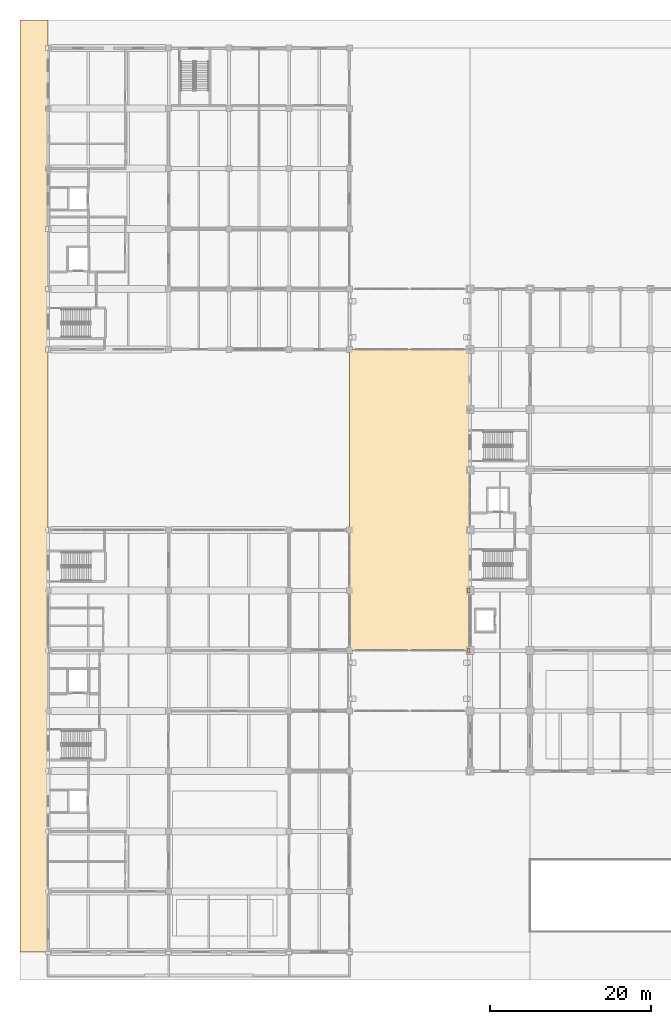
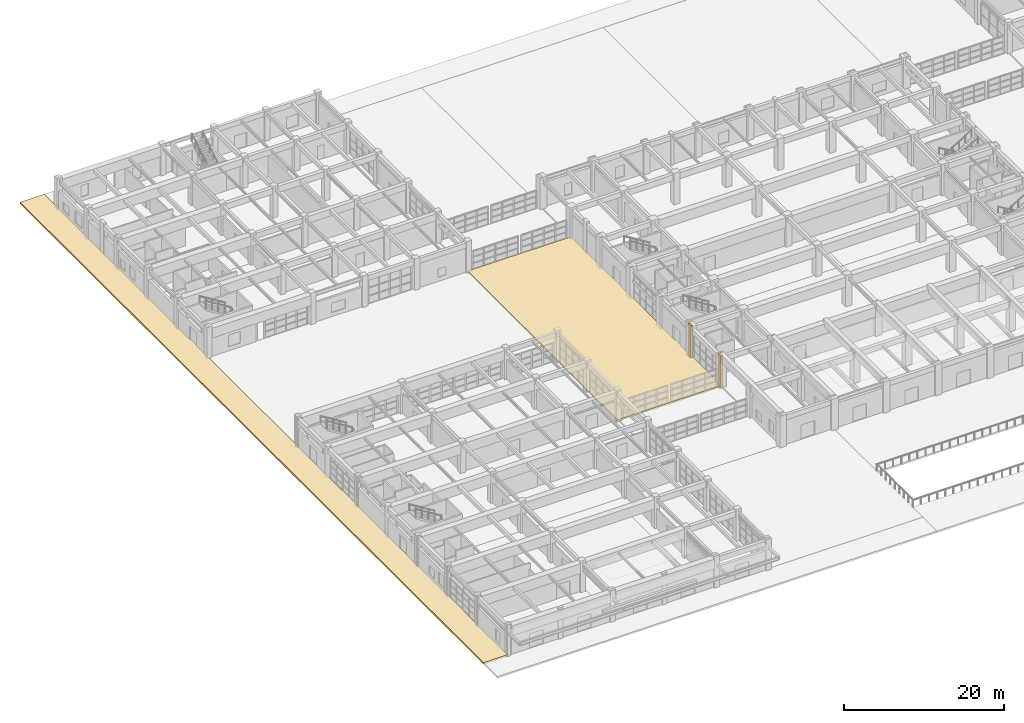
# One storey, part 108 of 122: 4 coverings.
"""IFC4 building model written with IfcOpenShell, lengths in metres."""

from ifc_helpers import new_model, si_unit, direction, frame, origin, origin_2d, place, context, subcontext, project, spatial, polyline, rectangle, outline, extrude, material, layer, layer_set, type_object, element, save


model = new_model("IFC4")

# Units and contexts
model_context = context("Model", 3, precision=1e-05, world=origin(), true_north=direction((0.0, 1.0)))
body_context = subcontext(model_context, "Body", "Model", "MODEL_VIEW")
ifc_project = project(units=[si_unit("LENGTHUNIT", "METRE"), si_unit("AREAUNIT", "SQUARE_METRE"), si_unit("VOLUMEUNIT", "CUBIC_METRE"), si_unit("PLANEANGLEUNIT", "RADIAN"), si_unit("MASSUNIT", "GRAM", prefix="KILO")], contexts=[model_context])

# Site, building, storey
site_placement = place(None, origin())
site = spatial("IfcSite", under=ifc_project, at=site_placement, CompositionType="ELEMENT")
building_placement = place(site_placement, origin())
building = spatial("IfcBuilding", under=site, at=building_placement, Name="Qasida Concert Hall", CompositionType="ELEMENT")
storey_placement = place(building_placement, origin())
storey = spatial("IfcBuildingStorey", under=building, at=storey_placement, Name="L00", CompositionType="ELEMENT", Elevation=0.0)

# Coverings
ifc_material_1 = material(Name="Bush-hammered Lebanese limestone plaza paving", Category="masonry")
ifc_layer_1 = layer(ifc_material_1, 0.25, Name="Bush-hammered Lebanese limestone plaza paving")
ifc_layer_set_1 = layer_set([ifc_layer_1], Name="Bush-hammered Lebanese limestone plaza paving")
covering_type_1 = type_object("IfcCoveringType", Name="CV-PAV-250", PredefinedType="FLOORING", material=ifc_layer_set_1)
covering_1_placement = place(storey_placement, frame((0.0, 0.0, -0.25)))
element("IfcCovering", 1, at=covering_1_placement, inside=storey, type_object=covering_type_1, Name="L00 West boulevard promenade", PredefinedType="FLOORING", context=body_context, shape_type="SweptSolid", body=[
    extrude(outline(polyline([(-3.5, 0.0), (0.0, 0.0), (0.0, 116.0), (-3.5, 116.0), (-3.5, 0.0)])), origin(), (0.0, 0.0, 1.0), 0.25),
])
covering_2_placement = place(storey_placement, frame((0.0, 0.0, -0.25)))
element("IfcCovering", 2, at=covering_2_placement, inside=storey, type_object=covering_type_1, Name="L00 West acoustic court central garden plaza", PredefinedType="FLOORING", context=body_context, shape_type="SweptSolid", body=[
    extrude(outline(polyline([(37.5, 37.5), (52.5, 37.5), (52.5, 75.0), (37.5, 75.0), (37.5, 37.5)])), origin(), (0.0, 0.0, 1.0), 0.25),
])
ifc_material_2 = material(Name="Projecting fluted Lebanese limestone Art Deco pilaster", Category="masonry")
ifc_layer_2 = layer(ifc_material_2, 0.35009765625, Name="Projecting fluted Lebanese limestone Art Deco pilaster")
ifc_layer_set_2 = layer_set([ifc_layer_2], Name="Projecting fluted Lebanese limestone Art Deco pilaster")
covering_type_2 = type_object("IfcCoveringType", Name="CV-PIL-650", PredefinedType="CLADDING", material=ifc_layer_set_2)
for number, where, z_axis, x_axis, name in (
    (3, (52.364990234375, 37.5, 0.0), (0.0, 0.0, 1.0), (1.0, 0.0, 0.0), "L00 fluted limestone pilaster 0015"),
    (4, (52.364990234375, 45.0, 0.0), (0.0, 0.0, 1.0), (1.0, 0.0, 0.0), "L00 fluted limestone pilaster 0029"),
):
    element("IfcCovering", number, at=place(storey_placement, frame(where, z_axis=z_axis, x_axis=x_axis)), inside=storey, type_object=covering_type_2, Name=name, PredefinedType="CLADDING", context=body_context, shape_type="SweptSolid", body=[
        extrude(rectangle(XDim=0.35009765625, YDim=0.64990234375, at=origin_2d()), origin(), (0.0, 0.0, 1.0), 4.800048828125),
    ])

save(model, "model.ifc")
